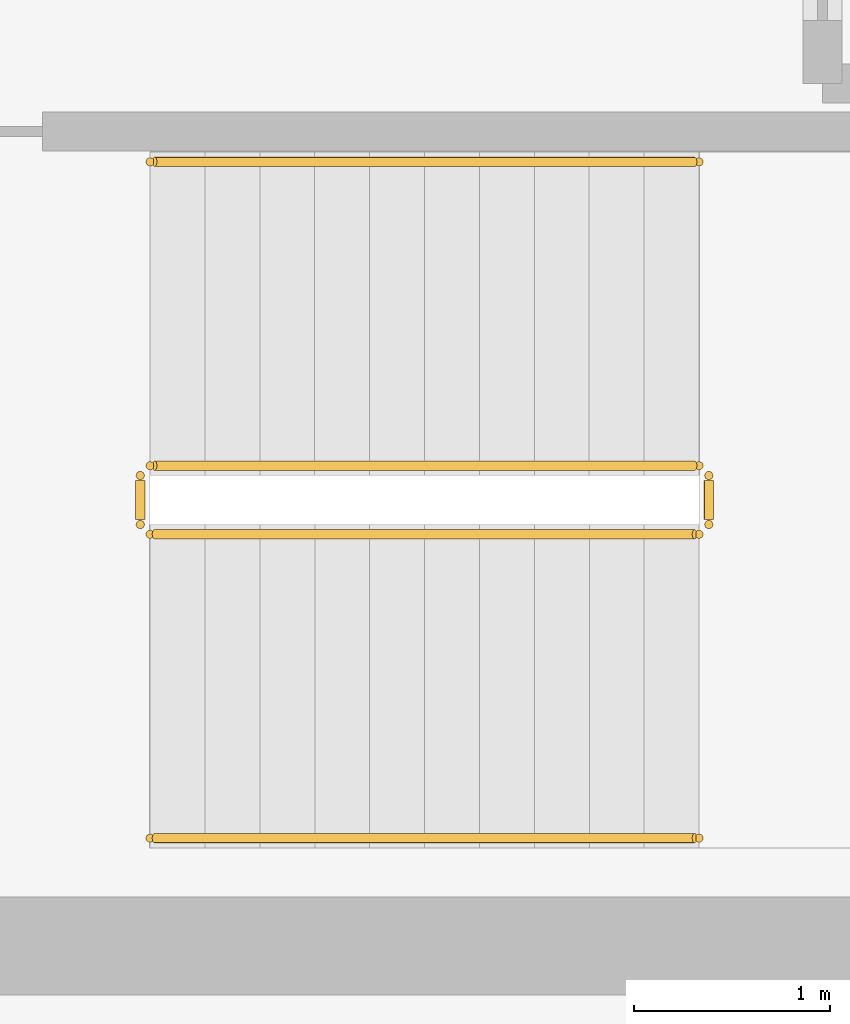
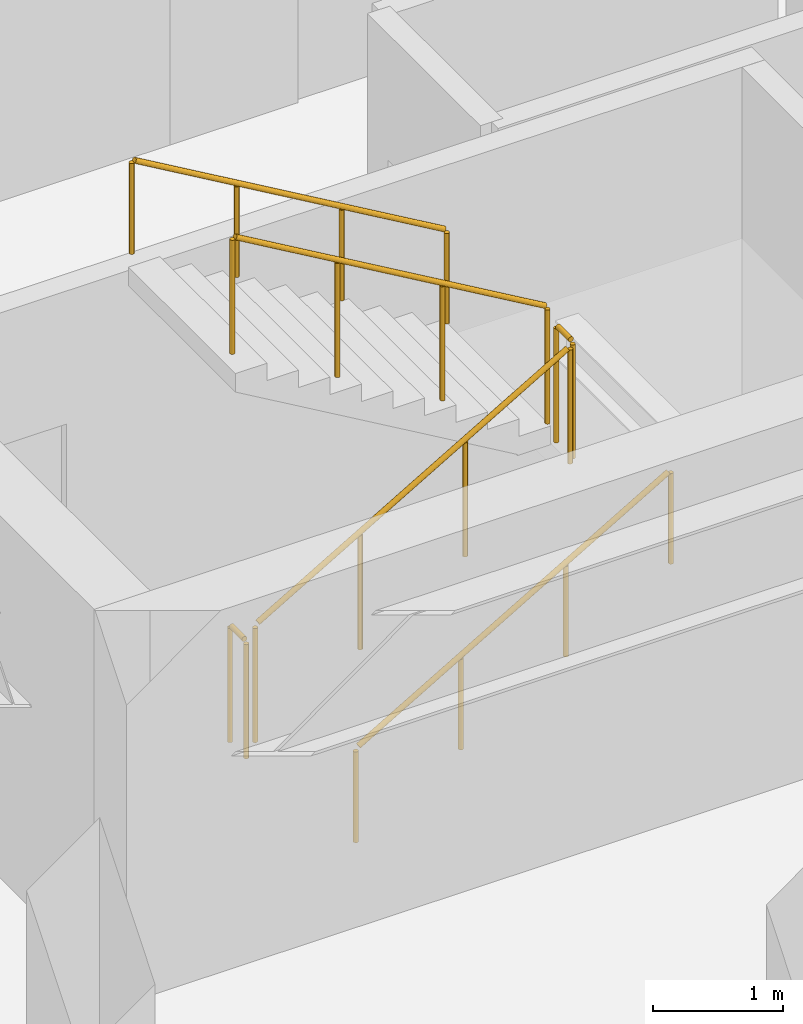
# One storey, part 13 of 13: 6 railings.
"""IFC4 building model written with IfcOpenShell, lengths in metres."""

import ifcopenshell
import ifcopenshell.guid

model = None  # the IFC model being written
_history = None  # IfcOwnerHistory: only IFC2X3 demands one
_inside = {}  # id of a spatial element -> (the spatial element, [elements in it])
_under = {}  # id of a project, library or spatial element -> (it, [spatial elements below it])
_declared = {}  # id of a project -> (the project, [libraries it declares])
_typed = {}  # id of a type object -> (the type object, [elements of that type])
_made_of = {}  # id of a material, layer set ... -> (it, [elements and type objects made of it])


def new_model(schema):
    """Start an empty IFC model of exactly this schema.

    Asked for "IFC4X3", IfcOpenShell would pick the latest addendum, in which some entities
    have other attributes; the version numbers below select the first issue.
    IFC2X3 requires an IfcOwnerHistory on every rooted entity: one is made here for all.
    """
    global model, _history
    if schema == "IFC4X3":
        model = ifcopenshell.file(schema_version=(4, 3, 0, 0))
    else:
        model = ifcopenshell.file(schema=schema)
    _inside.clear()
    _under.clear()
    _declared.clear()
    _typed.clear()
    _made_of.clear()
    _history = None
    if model.schema == "IFC2X3":
        org = make("IfcOrganization", Name="unknown")
        user = make(
            "IfcPersonAndOrganization",
            ThePerson=make("IfcPerson", FamilyName="unknown"),
            TheOrganization=org,
        )
        app = make(
            "IfcApplication",
            ApplicationDeveloper=org,
            Version="unknown",
            ApplicationFullName="unknown",
            ApplicationIdentifier="unknown",
        )
        _history = make(
            "IfcOwnerHistory",
            OwningUser=user,
            OwningApplication=app,
            ChangeAction="ADDED",
            CreationDate=0,
        )
    return model


def make(cls, **values):
    """One entity of the class cls with the attributes given. An attribute that is None is left unset."""
    return model.create_entity(
        cls, **{name: value for name, value in values.items() if value is not None}
    )


def rooted(cls, **values):
    """An entity with a GlobalId (a new one), such as an element, a storey or a relation."""
    return make(cls, GlobalId=ifcopenshell.guid.new(), OwnerHistory=_history, **values)


def si_unit(unit_type, name, prefix=None):
    """IfcSIUnit, for example si_unit("LENGTHUNIT", "METRE", prefix="MILLI")."""
    return make("IfcSIUnit", UnitType=unit_type, Prefix=prefix, Name=name)


def assignment(units):
    """IfcUnitAssignment: the units of a project."""
    return None if units is None else make("IfcUnitAssignment", Units=units)


def point(xyz):
    """IfcCartesianPoint."""
    return None if xyz is None else make("IfcCartesianPoint", Coordinates=xyz)


def direction(xyz):
    """IfcDirection."""
    return None if xyz is None else make("IfcDirection", DirectionRatios=xyz)


def frame(location, z_axis=None, x_axis=None):
    """IfcAxis2Placement3D, a coordinate frame: its origin and axes. An axis left out is left unset."""
    return make(
        "IfcAxis2Placement3D",
        Location=point(location),
        Axis=direction(z_axis),
        RefDirection=direction(x_axis),
    )


def frame_2d(location, x_axis=None):
    """IfcAxis2Placement2D, a coordinate frame in the plane: its origin and x axis."""
    return make(
        "IfcAxis2Placement2D", Location=point(location), RefDirection=direction(x_axis)
    )


def origin():
    """The frame at (0, 0, 0) with its axes left unset."""
    return frame((0.0, 0.0, 0.0))


def origin_2d():
    """The frame at (0, 0) in the plane with its x axis left unset."""
    return frame_2d((0.0, 0.0))


def place(relative_to, where):
    """IfcLocalPlacement: puts the frame where relative to a parent placement (None: the world)."""
    return make(
        "IfcLocalPlacement", PlacementRelTo=relative_to, RelativePlacement=where
    )


def context(
    kind, dimensions, precision=None, world=None, true_north=None, identifier=None
):
    """IfcGeometricRepresentationContext, for example the 3D "Model" context."""
    return make(
        "IfcGeometricRepresentationContext",
        ContextIdentifier=identifier,
        ContextType=kind,
        CoordinateSpaceDimension=dimensions,
        Precision=precision,
        WorldCoordinateSystem=world,
        TrueNorth=true_north,
    )


def subcontext(parent, identifier, kind, view, scale=None):
    """IfcGeometricRepresentationSubContext, for example "Body" below "Model"."""
    return make(
        "IfcGeometricRepresentationSubContext",
        ContextIdentifier=identifier,
        ContextType=kind,
        ParentContext=parent,
        TargetScale=scale,
        TargetView=view,
    )


def project(units=None, contexts=None):
    """IfcProject with its units and contexts."""
    return rooted(
        "IfcProject",
        Name="project",
        RepresentationContexts=contexts,
        UnitsInContext=assignment(units),
    )


def spatial(cls, under=None, at=None, **own):
    """A site, building, storey or space (cls), placed at a placement, below another one or the project."""
    s = rooted(cls, ObjectPlacement=at, **own)
    if under is not None:
        _under.setdefault(under.id(), (under, []))[1].append(s)
    return s


def profile(cls, at=None, kind="AREA", **sizes):
    """A parametric profile (cls). Its sizes go by their IFC names, for example OverallWidth=200.0."""
    return make(cls, ProfileType=kind, Position=at, **sizes)


def circle(**sizes):
    """IfcCircleProfileDef."""
    return profile("IfcCircleProfileDef", **sizes)


def extrude(swept, where, along, depth):
    """IfcExtrudedAreaSolid: the profile swept, set in the frame where, extruded along a direction by depth."""
    return make(
        "IfcExtrudedAreaSolid",
        SweptArea=swept,
        Position=where,
        ExtrudedDirection=direction(along),
        Depth=depth,
    )


def shape(context_of_items, identifier, shape_type, items):
    """IfcShapeRepresentation: the items that make up one representation, for example the "Body"."""
    return make(
        "IfcShapeRepresentation",
        ContextOfItems=context_of_items,
        RepresentationIdentifier=identifier,
        RepresentationType=shape_type,
        Items=items,
    )


def source(mapping_origin, context_of_items, identifier, shape_type, items):
    """IfcRepresentationMap: a shape defined once, which mapped items show again and again."""
    return make(
        "IfcRepresentationMap",
        MappingOrigin=mapping_origin,
        MappedRepresentation=shape(context_of_items, identifier, shape_type, items),
    )


def transform(
    local_origin,
    x_axis=None,
    y_axis=None,
    z_axis=None,
    scale=None,
    scale2=None,
    scale3=None,
    uniform=True,
):
    """IfcCartesianTransformationOperator3D, or its non-uniform kind. x_axis, y_axis, z_axis: its Axis1, 2, 3."""
    if uniform:
        return make(
            "IfcCartesianTransformationOperator3D",
            Axis1=direction(x_axis),
            Axis2=direction(y_axis),
            LocalOrigin=point(local_origin),
            Scale=scale,
            Axis3=direction(z_axis),
        )
    return make(
        "IfcCartesianTransformationOperator3DnonUniform",
        Axis1=direction(x_axis),
        Axis2=direction(y_axis),
        LocalOrigin=point(local_origin),
        Scale=scale,
        Axis3=direction(z_axis),
        Scale2=scale2,
        Scale3=scale3,
    )


def mapped(mapping_source, mapping_target):
    """IfcMappedItem: shows the shape of a source again, moved by a transform."""
    return make(
        "IfcMappedItem", MappingSource=mapping_source, MappingTarget=mapping_target
    )


def material(Name=None, Category=None):
    """IfcMaterial."""
    return make("IfcMaterial", Name=Name, Category=Category)


def layer(
    of_material, thickness, ventilated=None, Name=None, Category=None, Priority=None
):
    """IfcMaterialLayer: one layer of a wall or slab, of a material (None: an air gap)."""
    return make(
        "IfcMaterialLayer",
        Material=of_material,
        LayerThickness=thickness,
        IsVentilated=ventilated,
        Name=Name,
        Category=Category,
        Priority=Priority,
    )


def layer_set(layers, Name=None):
    """IfcMaterialLayerSet."""
    return make("IfcMaterialLayerSet", MaterialLayers=layers, LayerSetName=Name)


def made_of(thing, what):
    """Note that an element or type object is made of a material, layer set ...; save() writes the relation."""
    if what is not None:
        _made_of.setdefault(what.id(), (what, []))[1].append(thing)
    return thing


def type_object(cls, material=None, **own):
    """A type object (cls), such as IfcWallType, which elements share."""
    return made_of(rooted(cls, **own), material)


def element(
    cls,
    number,
    at=None,
    inside=None,
    cuts=None,
    type_object=None,
    material=None,
    context=None,
    identifier="Body",
    shape_type=None,
    held_by="IfcProductDefinitionShape",
    body=None,
    shapes=None,
    **own,
):
    """One element of the class cls, such as IfcWall. Its Tag is "e" and its number.

    at: its placement. inside: the storey or other place that contains it. cuts: it is an
    opening in that element (IfcRelVoidsElement). A single representation is given by context,
    identifier, shape_type and body (its items); several are given by shapes. held_by: the class
    of the entity that holds the representations. save() writes the other relations.
    """
    e = rooted(cls, Tag="e%d" % number, ObjectPlacement=at, **own)
    if body is not None:
        shapes = [shape(context, identifier, shape_type, body)]
    if shapes is not None:
        e.Representation = make(held_by, Representations=shapes)
    if inside is not None:
        _inside.setdefault(inside.id(), (inside, []))[1].append(e)
    if cuts is not None:
        rooted(
            "IfcRelVoidsElement", RelatingBuildingElement=cuts, RelatedOpeningElement=e
        )
    if type_object is not None:
        _typed.setdefault(type_object.id(), (type_object, []))[1].append(e)
    return made_of(e, material)


def aggregate(whole, parts):
    """IfcRelAggregates: a whole, such as a stair, and the parts it consists of."""
    return rooted("IfcRelAggregates", RelatingObject=whole, RelatedObjects=parts)


def save(model, path):
    """Write the relations noted so far, then the file.

    IfcRelAggregates (storeys below a building ...), IfcRelContainedInSpatialStructure (elements
    in a storey), IfcRelDefinesByType, IfcRelAssociatesMaterial and IfcRelDeclares: one each for
    every whole, place, type object, material and project.
    """
    for whole, parts in _under.values():
        aggregate(whole, parts)
    for where, things in _inside.values():
        rooted(
            "IfcRelContainedInSpatialStructure",
            RelatedElements=things,
            RelatingStructure=where,
        )
    for kind, things in _typed.values():
        rooted("IfcRelDefinesByType", RelatedObjects=things, RelatingType=kind)
    for what, things in _made_of.values():
        rooted("IfcRelAssociatesMaterial", RelatedObjects=things, RelatingMaterial=what)
    for by, libraries in _declared.values():
        rooted("IfcRelDeclares", RelatingContext=by, RelatedDefinitions=libraries)
    model.write(path)


model = new_model("IFC4")

# Units and contexts
model_context = context("Model", 3, precision=1e-05, world=origin(), true_north=direction((0.0, 1.0)))
body_context = subcontext(model_context, "Body", "Model", "MODEL_VIEW")
ifc_project = project(units=[si_unit("LENGTHUNIT", "METRE"), si_unit("AREAUNIT", "SQUARE_METRE"), si_unit("VOLUMEUNIT", "CUBIC_METRE"), si_unit("PLANEANGLEUNIT", "RADIAN"), si_unit("MASSUNIT", "GRAM", prefix="KILO")], contexts=[model_context])

# Site, building, storey
site_placement = place(None, origin())
site = spatial("IfcSite", under=ifc_project, at=site_placement, CompositionType="ELEMENT")
building_placement = place(site_placement, origin())
building = spatial("IfcBuilding", under=site, at=building_placement, Name="Kharzan Plaza Tower", CompositionType="ELEMENT")
storey_placement = place(building_placement, frame((0.0, 0.0, 252.0)))
storey = spatial("IfcBuildingStorey", under=building, at=storey_placement, Name="L68", CompositionType="ELEMENT", Elevation=252.0)

# Railings
ifc_material_1 = material(Name="Painted Galvanized Architectural Steel", Category="steel")
ifc_layer_1 = layer(ifc_material_1, 0.074951171875)
ifc_layer_set_1 = layer_set([ifc_layer_1], Name="Painted Galvanized Architectural Steel")
railing_type_1 = type_object("IfcRailingType", Name="RL-GUARD-1120", PredefinedType="BALUSTRADE", material=ifc_layer_set_1)
shared_shape_1 = source(origin(), body_context, "Body", "SweptSolid", [
    extrude(circle(Radius=0.02392578125, at=origin_2d()), frame((0.0, 0.0263671875, 1.09619140625), z_axis=(0.0, 1.0, 0.0), x_axis=(-1.0, 0.0, 0.0)), (0.0, 0.0, 1.0), 0.197021484375),
    extrude(circle(Radius=0.02099609375, at=origin_2d()), origin(), (0.0, 0.0, 1.0), 1.072021484375),
    extrude(circle(Radius=0.02099609375, at=origin_2d()), frame((0.0, 0.25, 0.0)), (0.0, 0.0, 1.0), 1.072021484375),
])
for number, where, name in (
    (1, (41.10009765625, 6.64990234375, 1.800048828125), "L68 ST-3 stair guard 2"),
    (2, (38.199951171875, 6.64990234375, 0.0), "L68 ST-3 stair guard 4"),
):
    element("IfcRailing", number, at=place(storey_placement, frame(where)), inside=storey, type_object=railing_type_1, Name=name, PredefinedType="BALUSTRADE", context=body_context, shape_type="MappedRepresentation", body=[
        mapped(shared_shape_1, transform((0.0, 0.0, 0.0), x_axis=(1.0, 0.0, 0.0), y_axis=(0.0, 1.0, 0.0), z_axis=(0.0, 0.0, 1.0))),
    ])
shared_shape_2 = source(origin(), body_context, "Body", "SweptSolid", [
    extrude(circle(Radius=0.02392578125, at=origin_2d()), frame((0.02294921875, 0.0, 1.109375), z_axis=(0.863360870873, 0.0, 0.504586966384), x_axis=(0.0, 1.0, 0.0)), (0.0, 0.0, 1.0), 3.190185546875),
    extrude(circle(Radius=0.02099609375, at=origin_2d()), origin(), (0.0, 0.0, 1.0), 1.072021484375),
    extrude(circle(Radius=0.02099609375, at=origin_2d()), frame((0.933349609375, 0.0, 0.54541015625)), (0.0, 0.0, 1.0), 1.072021484375),
    extrude(circle(Radius=0.02099609375, at=origin_2d()), frame((1.86669921875, 0.0, 1.091064453125)), (0.0, 0.0, 1.0), 1.072021484375),
    extrude(circle(Radius=0.02099609375, at=origin_2d()), frame((2.800048828125, 0.0, 1.636474609375)), (0.0, 0.0, 1.0), 1.072021484375),
])
railing_1_placement = place(storey_placement, frame((38.25, 6.60009765625, 0.16357421875)))
element("IfcRailing", 3, at=railing_1_placement, inside=storey, type_object=railing_type_1, Name="L68 ST-3 stair guard 1", PredefinedType="BALUSTRADE", context=body_context, shape_type="MappedRepresentation", body=[
    mapped(shared_shape_2, transform((0.0, 0.0, 0.0), x_axis=(1.0, 0.0, 0.0), y_axis=(0.0, 1.0, 0.0), z_axis=(0.0, 0.0, 1.0))),
])
shared_shape_3 = source(origin(), body_context, "Body", "SweptSolid", [
    extrude(circle(Radius=0.02392578125, at=origin_2d()), frame((-0.02294921875, 0.0, 1.109375), z_axis=(-0.863360870873, 0.0, 0.504586966384), x_axis=(0.0, -1.0, 0.0)), (0.0, 0.0, 1.0), 3.190185546875),
    extrude(circle(Radius=0.02099609375, at=origin_2d()), origin(), (0.0, 0.0, 1.0), 1.072021484375),
    extrude(circle(Radius=0.02099609375, at=origin_2d()), frame((-0.933349609375, 0.0, 0.54541015625)), (0.0, 0.0, 1.0), 1.072021484375),
    extrude(circle(Radius=0.02099609375, at=origin_2d()), frame((-1.86669921875, 0.0, 1.091064453125)), (0.0, 0.0, 1.0), 1.072021484375),
    extrude(circle(Radius=0.02099609375, at=origin_2d()), frame((-2.800048828125, 0.0, 1.636474609375)), (0.0, 0.0, 1.0), 1.072021484375),
])
railing_2_placement = place(storey_placement, frame((41.050048828125, 6.949951171875, 1.963623046875)))
element("IfcRailing", 4, at=railing_2_placement, inside=storey, type_object=railing_type_1, Name="L68 ST-3 stair guard 3", PredefinedType="BALUSTRADE", context=body_context, shape_type="MappedRepresentation", body=[
    mapped(shared_shape_3, transform((0.0, 0.0, 0.0), x_axis=(1.0, 0.0, 0.0), y_axis=(0.0, 1.0, 0.0), z_axis=(0.0, 0.0, 1.0))),
])
ifc_material_2 = material(Name="Brushed Stainless Steel", Category="steel")
ifc_layer_2 = layer(ifc_material_2, 0.050048828125)
ifc_layer_set_2 = layer_set([ifc_layer_2], Name="Brushed Stainless Steel")
railing_type_2 = type_object("IfcRailingType", Name="RL-STAIR-HR920", PredefinedType="HANDRAIL", material=ifc_layer_set_2)
shared_shape_4 = source(origin(), body_context, "Body", "SweptSolid", [
    extrude(circle(Radius=0.02392578125, at=origin_2d()), frame((0.02294921875, 0.0, 0.88916015625), z_axis=(0.863360870873, 0.0, 0.504586966384), x_axis=(0.0, 1.0, 0.0)), (0.0, 0.0, 1.0), 3.190185546875),
    extrude(circle(Radius=0.02099609375, at=origin_2d()), origin(), (0.0, 0.0, 1.0), 0.851806640625),
    extrude(circle(Radius=0.02099609375, at=origin_2d()), frame((0.933349609375, 0.0, 0.54541015625)), (0.0, 0.0, 1.0), 0.851806640625),
    extrude(circle(Radius=0.02099609375, at=origin_2d()), frame((1.86669921875, 0.0, 1.091064453125)), (0.0, 0.0, 1.0), 0.851806640625),
    extrude(circle(Radius=0.02099609375, at=origin_2d()), frame((2.800048828125, 0.0, 1.636474609375)), (0.0, 0.0, 1.0), 0.851806640625),
])
railing_3_placement = place(storey_placement, frame((38.25, 5.050048828125, 0.16357421875)))
element("IfcRailing", 5, at=railing_3_placement, inside=storey, type_object=railing_type_2, Name="L68 ST-3 stair handrail 1", PredefinedType="HANDRAIL", context=body_context, shape_type="MappedRepresentation", body=[
    mapped(shared_shape_4, transform((0.0, 0.0, 0.0), x_axis=(1.0, 0.0, 0.0), y_axis=(0.0, 1.0, 0.0), z_axis=(0.0, 0.0, 1.0))),
])
shared_shape_5 = source(origin(), body_context, "Body", "SweptSolid", [
    extrude(circle(Radius=0.02392578125, at=origin_2d()), frame((-0.02294921875, 0.0, 0.88916015625), z_axis=(-0.863360870873, 0.0, 0.504586966384), x_axis=(0.0, -1.0, 0.0)), (0.0, 0.0, 1.0), 3.190185546875),
    extrude(circle(Radius=0.02099609375, at=origin_2d()), origin(), (0.0, 0.0, 1.0), 0.851806640625),
    extrude(circle(Radius=0.02099609375, at=origin_2d()), frame((-0.933349609375, 0.0, 0.54541015625)), (0.0, 0.0, 1.0), 0.851806640625),
    extrude(circle(Radius=0.02099609375, at=origin_2d()), frame((-1.86669921875, 0.0, 1.091064453125)), (0.0, 0.0, 1.0), 0.851806640625),
    extrude(circle(Radius=0.02099609375, at=origin_2d()), frame((-2.800048828125, 0.0, 1.636474609375)), (0.0, 0.0, 1.0), 0.851806640625),
])
railing_4_placement = place(storey_placement, frame((41.050048828125, 8.5, 1.963623046875)))
element("IfcRailing", 6, at=railing_4_placement, inside=storey, type_object=railing_type_2, Name="L68 ST-3 stair handrail 2", PredefinedType="HANDRAIL", context=body_context, shape_type="MappedRepresentation", body=[
    mapped(shared_shape_5, transform((0.0, 0.0, 0.0), x_axis=(1.0, 0.0, 0.0), y_axis=(0.0, 1.0, 0.0), z_axis=(0.0, 0.0, 1.0))),
])

save(model, "model.ifc")
